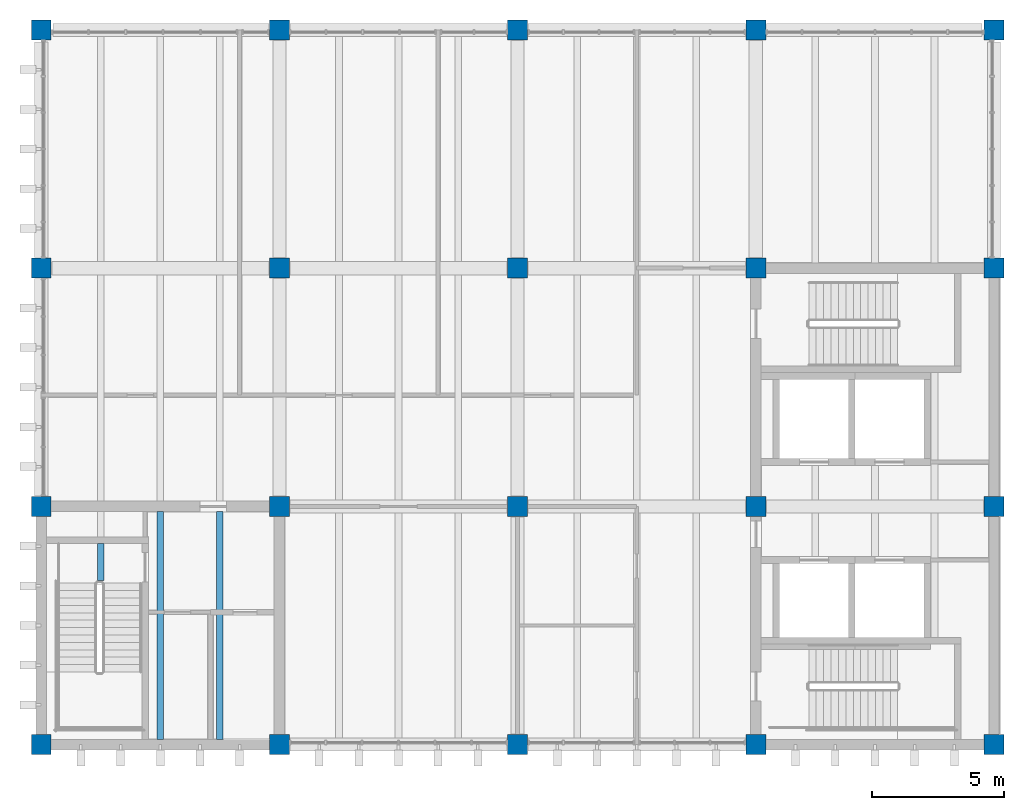
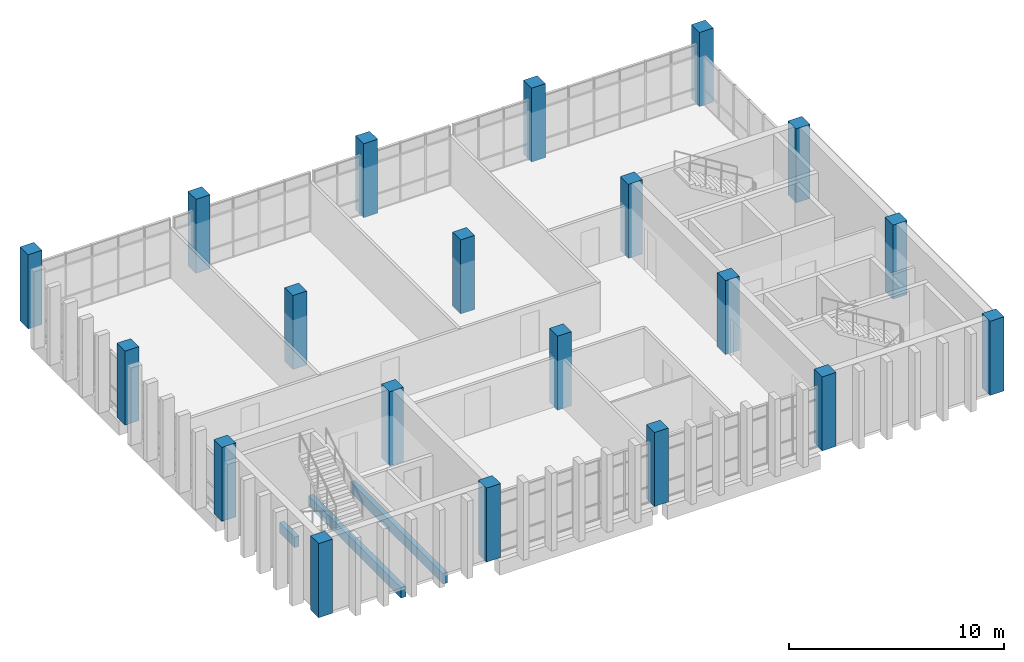
# One storey, part 1 of 14: 20 columns, 3 beams.
"""IFC4 building model written with IfcOpenShell, lengths in metres."""

from ifc_helpers import new_model, si_unit, direction, frame, origin, origin_2d, place, context, subcontext, project, spatial, rectangle, extrude, material, material_profile, profile_set, type_object, element, save


model = new_model("IFC4")

# Units and contexts
model_context = context("Model", 3, precision=1e-05, world=origin(), true_north=direction((0.0, 1.0)))
body_context = subcontext(model_context, "Body", "Model", "MODEL_VIEW")
ifc_project = project(units=[si_unit("LENGTHUNIT", "METRE"), si_unit("AREAUNIT", "SQUARE_METRE"), si_unit("VOLUMEUNIT", "CUBIC_METRE"), si_unit("PLANEANGLEUNIT", "RADIAN"), si_unit("MASSUNIT", "GRAM", prefix="KILO")], contexts=[model_context])

# Site, building, storey
site_placement = place(None, origin())
site = spatial("IfcSite", under=ifc_project, at=site_placement, CompositionType="ELEMENT")
building_placement = place(site_placement, origin())
building = spatial("IfcBuilding", under=site, at=building_placement, Name="Merrow Basin Faculty of Sciences", CompositionType="ELEMENT")
storey_placement = place(building_placement, frame((0.0, 0.0, 27.0)))
storey = spatial("IfcBuildingStorey", under=building, at=storey_placement, Name="L06", CompositionType="ELEMENT", Elevation=27.0)

# Columns
ifc_material_1 = material(Name="Concrete C40/50", Category="concrete")
ifc_material_profile_1 = material_profile(ifc_material_1, rectangle(XDim=0.75, YDim=0.75, at=origin_2d()))
ifc_profile_set_1 = profile_set([ifc_material_profile_1], Name="Concrete C40/50")
column_type = type_object("IfcColumnType", Name="Column RC750x750 C40/50", PredefinedType="COLUMN", material=ifc_profile_set_1)
for number, where, z_axis, x_axis, name in (
    (1, (18.0, 142.0, 0.0), (0.0, 0.0, 1.0), (1.0, 0.0, 0.0), "Column S13 L06"),
    (2, (18.0, 151.0, 0.0), (0.0, 0.0, 1.0), (1.0, 0.0, 0.0), "Column S14 L06"),
    (3, (18.0, 160.0, 0.0), (0.0, 0.0, 1.0), (1.0, 0.0, 0.0), "Column S15 L06"),
    (4, (18.0, 169.0, 0.0), (0.0, 0.0, 1.0), (1.0, 0.0, 0.0), "Column S16 L06"),
    (5, (27.0, 142.0, 0.0), (0.0, 0.0, 1.0), (1.0, 0.0, 0.0), "Column D13 L06"),
    (6, (27.0, 151.0, 0.0), (0.0, 0.0, 1.0), (1.0, 0.0, 0.0), "Column D14 L06"),
    (7, (27.0, 160.0, 0.0), (0.0, 0.0, 1.0), (1.0, 0.0, 0.0), "Column D15 L06"),
    (8, (27.0, 169.0, 0.0), (0.0, 0.0, 1.0), (1.0, 0.0, 0.0), "Column D16 L06"),
    (9, (36.0, 142.0, 0.0), (0.0, 0.0, 1.0), (1.0, 0.0, 0.0), "Column E13 L06"),
    (10, (36.0, 151.0, 0.0), (0.0, 0.0, 1.0), (1.0, 0.0, 0.0), "Column E14 L06"),
    (11, (36.0, 160.0, 0.0), (0.0, 0.0, 1.0), (1.0, 0.0, 0.0), "Column E15 L06"),
    (12, (36.0, 169.0, 0.0), (0.0, 0.0, 1.0), (1.0, 0.0, 0.0), "Column E16 L06"),
    (13, (45.0, 142.0, 0.0), (0.0, 0.0, 1.0), (1.0, 0.0, 0.0), "Column F13 L06"),
    (14, (45.0, 151.0, 0.0), (0.0, 0.0, 1.0), (1.0, 0.0, 0.0), "Column F14 L06"),
    (15, (45.0, 160.0, 0.0), (0.0, 0.0, 1.0), (1.0, 0.0, 0.0), "Column F15 L06"),
    (16, (45.0, 169.0, 0.0), (0.0, 0.0, 1.0), (1.0, 0.0, 0.0), "Column F16 L06"),
    (17, (54.0, 142.0, 0.0), (0.0, 0.0, 1.0), (1.0, 0.0, 0.0), "Column G13 L06"),
    (18, (54.0, 151.0, 0.0), (0.0, 0.0, 1.0), (1.0, 0.0, 0.0), "Column G14 L06"),
    (19, (54.0, 160.0, 0.0), (0.0, 0.0, 1.0), (1.0, 0.0, 0.0), "Column G15 L06"),
    (20, (54.0, 169.0, 0.0), (0.0, 0.0, 1.0), (1.0, 0.0, 0.0), "Column G16 L06"),
):
    element("IfcColumn", number, at=place(storey_placement, frame(where, z_axis=z_axis, x_axis=x_axis)), inside=storey, type_object=column_type, Name=name, PredefinedType="COLUMN", context=body_context, shape_type="SweptSolid", body=[
        extrude(rectangle(XDim=0.75, YDim=0.75, at=origin_2d()), origin(), (0.0, 0.0, 1.0), 4.199951171875),
    ])

# Beams
ifc_material_2 = material(Name="Concrete C40/50", Category="concrete")
ifc_material_profile_2 = material_profile(ifc_material_2, rectangle(XDim=0.25, YDim=0.60009765625, at=origin_2d()))
ifc_profile_set_2 = profile_set([ifc_material_profile_2], Name="Concrete C40/50")
beam_type = type_object("IfcBeamType", Name="Tower floor joist RC250x600 C40/50", PredefinedType="BEAM", material=ifc_profile_set_2)
beam_placement = place(storey_placement, frame((20.25, 148.199951171875, -0.60009765625), z_axis=(0.0, 1.0, 0.0), x_axis=(-1.0, 0.0, 0.0)))
element("IfcBeam", 21, at=beam_placement, inside=storey, type_object=beam_type, Name="JT1 L06 022", PredefinedType="BEAM", context=body_context, shape_type="SweptSolid", body=[
    extrude(rectangle(XDim=0.25, YDim=0.60009765625, at=origin_2d()), origin(), (0.0, 0.0, 1.0), 1.400146484375),
])
for number, where, z_axis, x_axis, name in (
    (22, (22.5, 142.199951171875, -0.60009765625), (0.0, 1.0, 0.0), (-1.0, 0.0, 0.0), "JT1 L06 024"),
    (23, (24.75, 142.199951171875, -0.60009765625), (0.0, 1.0, 0.0), (-1.0, 0.0, 0.0), "JT1 L06 025"),
):
    element("IfcBeam", number, at=place(storey_placement, frame(where, z_axis=z_axis, x_axis=x_axis)), inside=storey, type_object=beam_type, Name=name, PredefinedType="BEAM", context=body_context, shape_type="SweptSolid", body=[
        extrude(rectangle(XDim=0.25, YDim=0.60009765625, at=origin_2d()), origin(), (0.0, 0.0, 1.0), 8.60009765625),
    ])

save(model, "model.ifc")
